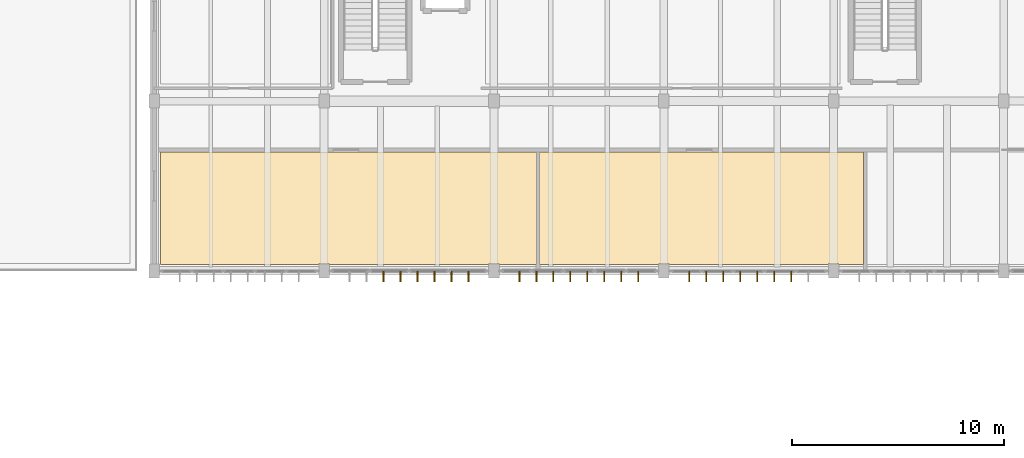
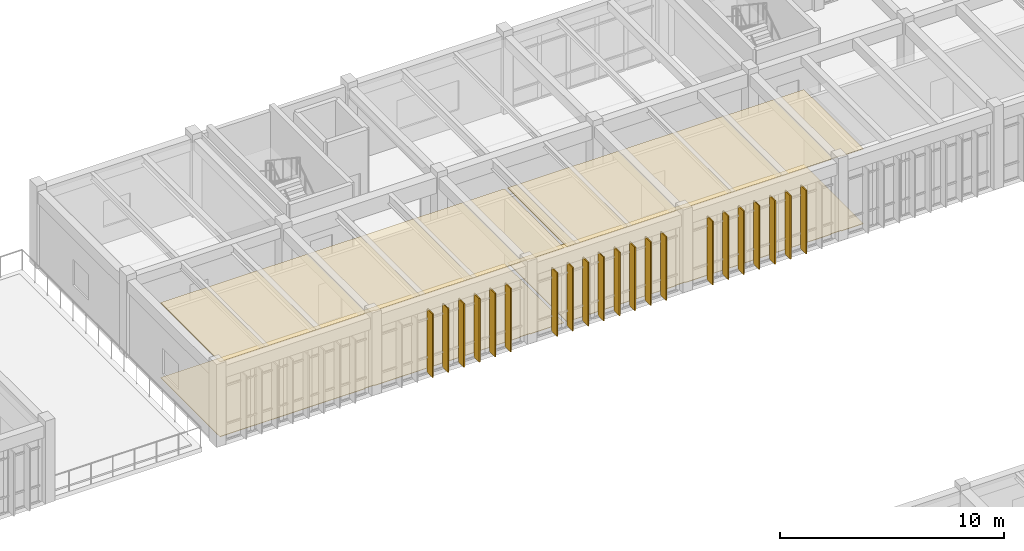
# One storey, part 66 of 72: 21 shading devices, 4 coverings.
"""IFC4 building model written with IfcOpenShell, lengths in metres."""

from ifc_helpers import new_model, si_unit, direction, frame, origin, origin_2d, place, context, subcontext, project, spatial, polyline, rectangle, outline, extrude, material, layer, layer_set, type_object, element, save


model = new_model("IFC4")

# Units and contexts
model_context = context("Model", 3, precision=1e-05, world=origin(), true_north=direction((0.0, 1.0)))
body_context = subcontext(model_context, "Body", "Model", "MODEL_VIEW")
ifc_project = project(units=[si_unit("LENGTHUNIT", "METRE"), si_unit("AREAUNIT", "SQUARE_METRE"), si_unit("VOLUMEUNIT", "CUBIC_METRE"), si_unit("PLANEANGLEUNIT", "RADIAN"), si_unit("MASSUNIT", "GRAM", prefix="KILO")], contexts=[model_context])

# Site, building, storey
site_placement = place(None, origin())
site = spatial("IfcSite", under=ifc_project, at=site_placement, CompositionType="ELEMENT")
building_placement = place(site_placement, origin())
building = spatial("IfcBuilding", under=site, at=building_placement, Name="Tlaxcora Railside Police Headquarters", CompositionType="ELEMENT")
storey_placement = place(building_placement, frame((0.0, 0.0, 13.5)))
storey = spatial("IfcBuildingStorey", under=building, at=storey_placement, Name="L03", CompositionType="ELEMENT", Elevation=13.5)

# Coverings
ifc_material_1 = material(Name="Heavy-duty resin and raised-access technical flooring")
ifc_layer_1 = layer(ifc_material_1, 0.02490234375, Name="Heavy-duty resin and raised-access technical flooring")
ifc_layer_set_1 = layer_set([ifc_layer_1], Name="Heavy-duty resin and raised-access technical flooring")
covering_type_1 = type_object("IfcCoveringType", Name="Epoxy Chemical-Resistant Lab Flooring FLR-02", PredefinedType="FLOORING", material=ifc_layer_set_1)
covering_1_placement = place(storey_placement, origin())
element("IfcCovering", 1, at=covering_1_placement, inside=storey, type_object=covering_type_1, Name="Digital Forensics and Mobile Extraction Laboratory technical floor finish", PredefinedType="FLOORING", context=body_context, shape_type="SweptSolid", body=[
    extrude(outline(polyline([(120.794921875, 82.39990234375), (103.10009765625, 82.39990234375), (103.10009765625, 77.10009765625), (110.5400390625, 77.10009765625), (110.5400390625, 77.135009765625), (111.06005859375, 77.135009765625), (111.06005859375, 77.10009765625), (118.5400390625, 77.10009765625), (118.5400390625, 77.135009765625), (119.06005859375, 77.135009765625), (119.06005859375, 77.10009765625), (120.794921875, 77.10009765625), (120.794921875, 82.39990234375)])), origin(), (0.0, 0.0, 1.0), 0.02490234375),
])
covering_2_placement = place(storey_placement, origin())
element("IfcCovering", 2, at=covering_2_placement, inside=storey, type_object=covering_type_1, Name="Audio-Video Enhancement and Faraday Cage Suite technical floor finish", PredefinedType="FLOORING", context=body_context, shape_type="SweptSolid", body=[
    extrude(outline(polyline([(136.199951171875, 82.39990234375), (120.955078125, 82.39990234375), (120.955078125, 77.10009765625), (126.5400390625, 77.10009765625), (126.5400390625, 77.135009765625), (127.06005859375, 77.135009765625), (127.06005859375, 77.10009765625), (134.5400390625, 77.10009765625), (134.5400390625, 77.135009765625), (135.06005859375, 77.135009765625), (135.06005859375, 77.10009765625), (136.199951171875, 77.10009765625), (136.199951171875, 82.39990234375)])), origin(), (0.0, 0.0, 1.0), 0.02490234375),
])
ifc_material_2 = material(Name="Mineral-fibre acoustic ceiling tile")
ifc_layer_2 = layer(ifc_material_2, 0.044921875, Name="Mineral-fibre acoustic ceiling tile")
ifc_layer_set_2 = layer_set([ifc_layer_2], Name="Mineral-fibre acoustic ceiling tile")
covering_type_2 = type_object("IfcCoveringType", Name="Laboratory Hygienic Ceiling CLG-02", PredefinedType="CEILING", material=ifc_layer_set_2)
covering_3_placement = place(storey_placement, frame((0.0, 0.0, 4.054931640625)))
element("IfcCovering", 3, at=covering_3_placement, inside=storey, type_object=covering_type_2, Name="Digital Forensics and Mobile Extraction Laboratory suspended ceiling", PredefinedType="CEILING", context=body_context, shape_type="SweptSolid", body=[
    extrude(outline(polyline([(120.794921875, 82.39990234375), (103.10009765625, 82.39990234375), (103.10009765625, 77.10009765625), (110.5400390625, 77.10009765625), (110.5400390625, 77.135009765625), (111.06005859375, 77.135009765625), (111.06005859375, 77.10009765625), (118.5400390625, 77.10009765625), (118.5400390625, 77.135009765625), (119.06005859375, 77.135009765625), (119.06005859375, 77.10009765625), (120.794921875, 77.10009765625), (120.794921875, 82.39990234375)])), origin(), (0.0, 0.0, 1.0), 0.045166015625),
])
covering_4_placement = place(storey_placement, frame((0.0, 0.0, 4.054931640625)))
element("IfcCovering", 4, at=covering_4_placement, inside=storey, type_object=covering_type_2, Name="Audio-Video Enhancement and Faraday Cage Suite suspended ceiling", PredefinedType="CEILING", context=body_context, shape_type="SweptSolid", body=[
    extrude(outline(polyline([(136.199951171875, 82.39990234375), (120.955078125, 82.39990234375), (120.955078125, 77.10009765625), (126.5400390625, 77.10009765625), (126.5400390625, 77.135009765625), (127.06005859375, 77.135009765625), (127.06005859375, 77.10009765625), (134.5400390625, 77.10009765625), (134.5400390625, 77.135009765625), (135.06005859375, 77.135009765625), (135.06005859375, 77.10009765625), (136.199951171875, 77.10009765625), (136.199951171875, 82.39990234375)])), origin(), (0.0, 0.0, 1.0), 0.045166015625),
])

# Shading devices
ifc_material_3 = material(Name="Bronze-anodised perforated aluminium sheet", Category="aluminium")
ifc_layer_3 = layer(ifc_material_3, 0.06494140625, Name="Bronze-anodised perforated aluminium sheet")
ifc_layer_set_3 = layer_set([ifc_layer_3], Name="Bronze-anodised perforated aluminium sheet")
shading_device_type = type_object("IfcShadingDeviceType", Name="Solar Control Fin SF-02", PredefinedType="JALOUSIE", material=ifc_layer_set_3)
for number, where, z_axis, x_axis, name in (
    (5, (113.60009765625, 76.5400390625, 0.0400390625), (0.0, 0.0, 1.0), (0.0, -1.0, 0.0), "Vertical solar fin 890"),
    (6, (114.39990234375, 76.5400390625, 0.0400390625), (0.0, 0.0, 1.0), (0.0, -1.0, 0.0), "Vertical solar fin 891"),
    (7, (115.199951171875, 76.5400390625, 0.0400390625), (0.0, 0.0, 1.0), (0.0, -1.0, 0.0), "Vertical solar fin 892"),
    (8, (116.0, 76.5400390625, 0.0400390625), (0.0, 0.0, 1.0), (0.0, -1.0, 0.0), "Vertical solar fin 893"),
    (9, (116.800048828125, 76.5400390625, 0.0400390625), (0.0, 0.0, 1.0), (0.0, -1.0, 0.0), "Vertical solar fin 894"),
    (10, (117.60009765625, 76.5400390625, 0.0400390625), (0.0, 0.0, 1.0), (0.0, -1.0, 0.0), "Vertical solar fin 895"),
    (11, (120.0, 76.5400390625, 0.0400390625), (0.0, 0.0, 1.0), (0.0, -1.0, 0.0), "Vertical solar fin 896"),
    (12, (120.800048828125, 76.5400390625, 0.0400390625), (0.0, 0.0, 1.0), (0.0, -1.0, 0.0), "Vertical solar fin 897"),
    (13, (121.60009765625, 76.5400390625, 0.0400390625), (0.0, 0.0, 1.0), (0.0, -1.0, 0.0), "Vertical solar fin 898"),
    (14, (122.39990234375, 76.5400390625, 0.0400390625), (0.0, 0.0, 1.0), (0.0, -1.0, 0.0), "Vertical solar fin 899"),
    (15, (123.199951171875, 76.5400390625, 0.0400390625), (0.0, 0.0, 1.0), (0.0, -1.0, 0.0), "Vertical solar fin 900"),
    (16, (124.0, 76.5400390625, 0.0400390625), (0.0, 0.0, 1.0), (0.0, -1.0, 0.0), "Vertical solar fin 901"),
    (17, (124.800048828125, 76.5400390625, 0.0400390625), (0.0, 0.0, 1.0), (0.0, -1.0, 0.0), "Vertical solar fin 902"),
    (18, (125.60009765625, 76.5400390625, 0.0400390625), (0.0, 0.0, 1.0), (0.0, -1.0, 0.0), "Vertical solar fin 903"),
    (19, (128.0, 76.5400390625, 0.0400390625), (0.0, 0.0, 1.0), (0.0, -1.0, 0.0), "Vertical solar fin 904"),
    (20, (128.800048828125, 76.5400390625, 0.0400390625), (0.0, 0.0, 1.0), (0.0, -1.0, 0.0), "Vertical solar fin 905"),
    (21, (129.60009765625, 76.5400390625, 0.0400390625), (0.0, 0.0, 1.0), (0.0, -1.0, 0.0), "Vertical solar fin 906"),
    (22, (130.39990234375, 76.5400390625, 0.0400390625), (0.0, 0.0, 1.0), (0.0, -1.0, 0.0), "Vertical solar fin 907"),
    (23, (131.199951171875, 76.5400390625, 0.0400390625), (0.0, 0.0, 1.0), (0.0, -1.0, 0.0), "Vertical solar fin 908"),
    (24, (132.0, 76.5400390625, 0.0400390625), (0.0, 0.0, 1.0), (0.0, -1.0, 0.0), "Vertical solar fin 909"),
    (25, (132.800048828125, 76.5400390625, 0.0400390625), (0.0, 0.0, 1.0), (0.0, -1.0, 0.0), "Vertical solar fin 910"),
):
    element("IfcShadingDevice", number, at=place(storey_placement, frame(where, z_axis=z_axis, x_axis=x_axis)), inside=storey, type_object=shading_device_type, Name=name, PredefinedType="JALOUSIE", context=body_context, shape_type="SweptSolid", body=[
        extrude(rectangle(XDim=0.47998046875, YDim=0.054931640625, at=origin_2d()), origin(), (0.0, 0.0, 1.0), 3.4599609375),
    ])

save(model, "model.ifc")
